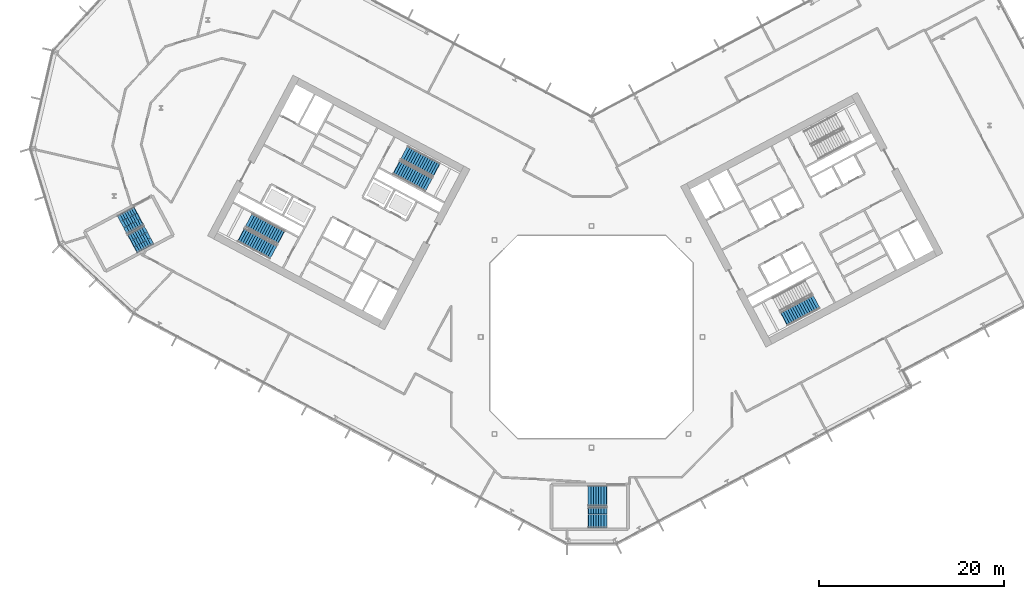
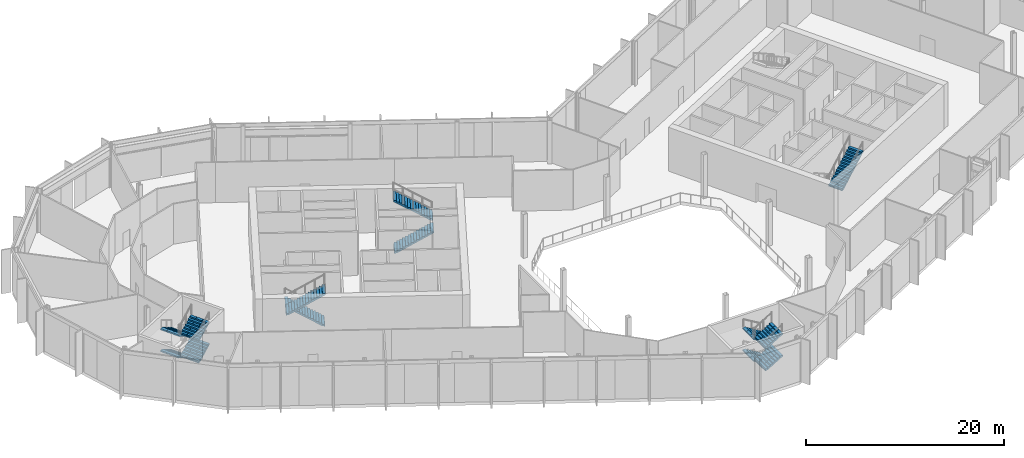
# One storey, part 18 of 31: 13 stair flights, 5 elements without a shape of their own.
"""IFC4 building model written with IfcOpenShell, lengths in metres."""

from ifc_helpers import new_model, si_unit, direction, frame, origin, place, context, subcontext, project, spatial, polyline, outline, extrude, material, type_object, element, aggregate, save


model = new_model("IFC4")

# Units and contexts
model_context = context("Model", 3, precision=1e-05, world=origin(), true_north=direction((0.0, 1.0)))
body_context = subcontext(model_context, "Body", "Model", "MODEL_VIEW")
ifc_project = project(units=[si_unit("LENGTHUNIT", "METRE"), si_unit("AREAUNIT", "SQUARE_METRE"), si_unit("VOLUMEUNIT", "CUBIC_METRE"), si_unit("PLANEANGLEUNIT", "RADIAN"), si_unit("MASSUNIT", "GRAM", prefix="KILO")], contexts=[model_context])

# Site, building, storey
site_placement = place(None, origin())
site = spatial("IfcSite", under=ifc_project, at=site_placement, CompositionType="ELEMENT")
building_placement = place(site_placement, origin())
building = spatial("IfcBuilding", under=site, at=building_placement, Name="Cormorant Relay Tower", CompositionType="ELEMENT")
storey_placement = place(building_placement, frame((0.0, 0.0, 178.199951171875)))
storey = spatial("IfcBuildingStorey", under=building, at=storey_placement, Name="L38", CompositionType="ELEMENT", Elevation=178.199951171875)

# Stair, stair flights
ifc_material_1 = material(Name="Concrete 40 MPa", Category="concrete")
stair_type_1 = type_object("IfcStairType", Name="Exit stair 1500", PredefinedType="HALF_TURN_STAIR", material=ifc_material_1)
stair_1_placement = place(storey_placement, origin())
stair_1 = element("IfcStair", 1, at=stair_1_placement, inside=storey, type_object=stair_type_1, Name="L38 Stair", PredefinedType="HALF_TURN_STAIR")
ifc_material_2 = material(Name="Concrete 40 MPa", Category="concrete")
stair_flight_type_1 = type_object("IfcStairFlightType", Name="Exit stair flight 1650", PredefinedType="STRAIGHT", material=ifc_material_2)
stair_flight_1_placement = place(storey_placement, frame((-21.114501953125, 18.33349609375, 0.0), z_axis=(0.0, 0.0, 1.0), x_axis=(0.882947592859, -0.469471562786, 0.0)))
stair_flight_1 = element("IfcStairFlight", 2, at=stair_flight_1_placement, type_object=stair_flight_type_1, Name="A1 flight 1", NumberOfRisers=15, NumberOfTreads=14, PredefinedType="STRAIGHT", RiserHeight=0.18, TreadLength=0.28, context=body_context, shape_type="SweptSolid", body=[
    extrude(outline(polyline([(-0.050048828125, -0.080078125), (-0.050048828125, 0.0), (0.0, 0.0), (0.0, 0.179931640625), (0.280029296875, 0.179931640625), (0.280029296875, 0.360107421875), (0.56005859375, 0.360107421875), (0.56005859375, 0.5400390625), (0.840087890625, 0.5400390625), (0.840087890625, 0.719970703125), (1.1201171875, 0.719970703125), (1.1201171875, 0.89990234375), (1.39990234375, 0.89990234375), (1.39990234375, 1.080078125), (1.679931640625, 1.080078125), (1.679931640625, 1.260009765625), (1.9599609375, 1.260009765625), (1.9599609375, 1.43994140625), (2.239990234375, 1.43994140625), (2.239990234375, 1.6201171875), (2.52001953125, 1.6201171875), (2.52001953125, 1.800048828125), (2.800048828125, 1.800048828125), (2.800048828125, 1.97998046875), (3.080078125, 1.97998046875), (3.080078125, 2.159912109375), (3.360107421875, 2.159912109375), (3.360107421875, 2.340087890625), (3.639892578125, 2.340087890625), (3.639892578125, 2.52001953125), (3.919921875, 2.52001953125), (3.969970703125, 2.52001953125), (3.969970703125, 2.341796875), (3.919921875, 2.341796875), (0.277099609375, 0.0), (-0.050048828125, -0.080078125)])), frame((0.0, 0.824951171875, 0.0), z_axis=(0.0, -1.0, 0.0), x_axis=(1.0, 0.0, 0.0)), (0.0, 0.0, 1.0), 1.64990234375),
])
stair_flight_2_placement = place(storey_placement, frame((-16.80810546875, 18.08251953125, 2.699951171875), z_axis=(0.0, 0.0, 1.0), x_axis=(-0.882947592859, 0.469471562786, 0.0)))
stair_flight_2 = element("IfcStairFlight", 3, at=stair_flight_2_placement, type_object=stair_flight_type_1, Name="A1 flight 2", NumberOfRisers=15, NumberOfTreads=14, PredefinedType="STRAIGHT", RiserHeight=0.18, TreadLength=0.28, context=body_context, shape_type="SweptSolid", body=[
    extrude(outline(polyline([(-0.050048828125, -0.080078125), (-0.050048828125, 0.0), (0.0, 0.0), (0.0, 0.179931640625), (0.280029296875, 0.179931640625), (0.280029296875, 0.360107421875), (0.56005859375, 0.360107421875), (0.56005859375, 0.5400390625), (0.840087890625, 0.5400390625), (0.840087890625, 0.719970703125), (1.1201171875, 0.719970703125), (1.1201171875, 0.89990234375), (1.39990234375, 0.89990234375), (1.39990234375, 1.080078125), (1.679931640625, 1.080078125), (1.679931640625, 1.260009765625), (1.9599609375, 1.260009765625), (1.9599609375, 1.43994140625), (2.239990234375, 1.43994140625), (2.239990234375, 1.6201171875), (2.52001953125, 1.6201171875), (2.52001953125, 1.800048828125), (2.800048828125, 1.800048828125), (2.800048828125, 1.97998046875), (3.080078125, 1.97998046875), (3.080078125, 2.159912109375), (3.360107421875, 2.159912109375), (3.360107421875, 2.340087890625), (3.639892578125, 2.340087890625), (3.639892578125, 2.52001953125), (3.919921875, 2.52001953125), (3.969970703125, 2.52001953125), (3.969970703125, 2.341796875), (3.919921875, 2.341796875), (0.277099609375, 0.0), (-0.050048828125, -0.080078125)])), frame((0.0, 0.824951171875, 0.0), z_axis=(0.0, -1.0, 0.0), x_axis=(1.0, 0.0, 0.0)), (0.0, 0.0, 1.0), 1.64990234375),
])
aggregate(stair_1, [stair_flight_1, stair_flight_2])

stair_2_placement = place(storey_placement, origin())
stair_2 = element("IfcStair", 4, at=stair_2_placement, inside=storey, type_object=stair_type_1, Name="L38 Stair", PredefinedType="HALF_TURN_STAIR")
stair_flight_3_placement = place(storey_placement, frame((-33.62841796875, 10.773681640625, 0.0), z_axis=(0.0, 0.0, 1.0), x_axis=(-0.882947592859, 0.469471562786, 0.0)))
stair_flight_3 = element("IfcStairFlight", 5, at=stair_flight_3_placement, type_object=stair_flight_type_1, Name="A2 flight 1", NumberOfRisers=15, NumberOfTreads=14, PredefinedType="STRAIGHT", RiserHeight=0.18, TreadLength=0.28, context=body_context, shape_type="SweptSolid", body=[
    extrude(outline(polyline([(-0.050048828125, -0.080078125), (-0.050048828125, 0.0), (0.0, 0.0), (0.0, 0.179931640625), (0.280029296875, 0.179931640625), (0.280029296875, 0.360107421875), (0.56005859375, 0.360107421875), (0.56005859375, 0.5400390625), (0.840087890625, 0.5400390625), (0.840087890625, 0.719970703125), (1.1201171875, 0.719970703125), (1.1201171875, 0.89990234375), (1.39990234375, 0.89990234375), (1.39990234375, 1.080078125), (1.679931640625, 1.080078125), (1.679931640625, 1.260009765625), (1.9599609375, 1.260009765625), (1.9599609375, 1.43994140625), (2.239990234375, 1.43994140625), (2.239990234375, 1.6201171875), (2.52001953125, 1.6201171875), (2.52001953125, 1.800048828125), (2.800048828125, 1.800048828125), (2.800048828125, 1.97998046875), (3.080078125, 1.97998046875), (3.080078125, 2.159912109375), (3.360107421875, 2.159912109375), (3.360107421875, 2.340087890625), (3.639892578125, 2.340087890625), (3.639892578125, 2.52001953125), (3.919921875, 2.52001953125), (3.969970703125, 2.52001953125), (3.969970703125, 2.341796875), (3.919921875, 2.341796875), (0.277099609375, 0.0), (-0.050048828125, -0.080078125)])), frame((0.0, 0.824951171875, 0.0), z_axis=(0.0, -1.0, 0.0), x_axis=(1.0, 0.0, 0.0)), (0.0, 0.0, 1.0), 1.64990234375),
])
stair_flight_4_placement = place(storey_placement, frame((-37.9345703125, 11.024658203125, 2.699951171875), z_axis=(0.0, 0.0, 1.0), x_axis=(0.882947592859, -0.469471562786, 0.0)))
stair_flight_4 = element("IfcStairFlight", 6, at=stair_flight_4_placement, type_object=stair_flight_type_1, Name="A2 flight 2", NumberOfRisers=15, NumberOfTreads=14, PredefinedType="STRAIGHT", RiserHeight=0.18, TreadLength=0.28, context=body_context, shape_type="SweptSolid", body=[
    extrude(outline(polyline([(-0.050048828125, -0.080078125), (-0.050048828125, 0.0), (0.0, 0.0), (0.0, 0.179931640625), (0.280029296875, 0.179931640625), (0.280029296875, 0.360107421875), (0.56005859375, 0.360107421875), (0.56005859375, 0.5400390625), (0.840087890625, 0.5400390625), (0.840087890625, 0.719970703125), (1.1201171875, 0.719970703125), (1.1201171875, 0.89990234375), (1.39990234375, 0.89990234375), (1.39990234375, 1.080078125), (1.679931640625, 1.080078125), (1.679931640625, 1.260009765625), (1.9599609375, 1.260009765625), (1.9599609375, 1.43994140625), (2.239990234375, 1.43994140625), (2.239990234375, 1.6201171875), (2.52001953125, 1.6201171875), (2.52001953125, 1.800048828125), (2.800048828125, 1.800048828125), (2.800048828125, 1.97998046875), (3.080078125, 1.97998046875), (3.080078125, 2.159912109375), (3.360107421875, 2.159912109375), (3.360107421875, 2.340087890625), (3.639892578125, 2.340087890625), (3.639892578125, 2.52001953125), (3.919921875, 2.52001953125), (3.969970703125, 2.52001953125), (3.969970703125, 2.341796875), (3.919921875, 2.341796875), (0.277099609375, 0.0), (-0.050048828125, -0.080078125)])), frame((0.0, 0.824951171875, 0.0), z_axis=(0.0, -1.0, 0.0), x_axis=(1.0, 0.0, 0.0)), (0.0, 0.0, 1.0), 1.64990234375),
])
aggregate(stair_2, [stair_flight_3, stair_flight_4])

# Stair, stair flight
stair_3_placement = place(storey_placement, origin())
stair_3 = element("IfcStair", 7, at=stair_3_placement, inside=storey, type_object=stair_type_1, Name="L38 Stair", PredefinedType="HALF_TURN_STAIR")
stair_flight_5_placement = place(storey_placement, frame((20.8583984375, 1.945068359375, 2.699951171875), z_axis=(0.0, 0.0, 1.0), x_axis=(0.882947592859, 0.469471562786, 0.0)))
stair_flight_5 = element("IfcStairFlight", 8, at=stair_flight_5_placement, type_object=stair_flight_type_1, Name="B1 flight 2", NumberOfRisers=15, NumberOfTreads=14, PredefinedType="STRAIGHT", RiserHeight=0.18, TreadLength=0.28, context=body_context, shape_type="SweptSolid", body=[
    extrude(outline(polyline([(-0.050048828125, -0.080078125), (-0.050048828125, 0.0), (0.0, 0.0), (0.0, 0.179931640625), (0.280029296875, 0.179931640625), (0.280029296875, 0.360107421875), (0.56005859375, 0.360107421875), (0.56005859375, 0.5400390625), (0.840087890625, 0.5400390625), (0.840087890625, 0.719970703125), (1.1201171875, 0.719970703125), (1.1201171875, 0.89990234375), (1.39990234375, 0.89990234375), (1.39990234375, 1.080078125), (1.679931640625, 1.080078125), (1.679931640625, 1.260009765625), (1.9599609375, 1.260009765625), (1.9599609375, 1.43994140625), (2.239990234375, 1.43994140625), (2.239990234375, 1.6201171875), (2.52001953125, 1.6201171875), (2.52001953125, 1.800048828125), (2.800048828125, 1.800048828125), (2.800048828125, 1.97998046875), (3.080078125, 1.97998046875), (3.080078125, 2.159912109375), (3.360107421875, 2.159912109375), (3.360107421875, 2.340087890625), (3.639892578125, 2.340087890625), (3.639892578125, 2.52001953125), (3.919921875, 2.52001953125), (3.969970703125, 2.52001953125), (3.969970703125, 2.341796875), (3.919921875, 2.341796875), (0.277099609375, 0.0), (-0.050048828125, -0.080078125)])), frame((0.0, 0.824951171875, 0.0), z_axis=(0.0, -1.0, 0.0), x_axis=(1.0, 0.0, 0.0)), (0.0, 0.0, 1.0), 1.64990234375),
])
aggregate(stair_3, [stair_flight_5])

# Stair, stair flights
ifc_material_3 = material(Name="Concrete 40 MPa", Category="concrete")
stair_type_2 = type_object("IfcStairType", Name="Remote exit stair 2200", PredefinedType="HALF_TURN_STAIR", material=ifc_material_3)
stair_4_placement = place(storey_placement, origin())
stair_4 = element("IfcStair", 9, at=stair_4_placement, inside=storey, type_object=stair_type_2, Name="L38 Stair", PredefinedType="HALF_TURN_STAIR")
ifc_material_4 = material(Name="Concrete 40 MPa", Category="concrete")
stair_flight_type_2 = type_object("IfcStairFlightType", Name="Remote exit stair flight 2200", PredefinedType="STRAIGHT", material=ifc_material_4)
stair_flight_6_placement = place(storey_placement, frame((1.60009765625, -17.22509765625, 0.0), z_axis=(0.0, 0.0, 1.0), x_axis=(-1.0, 0.0, 0.0)))
stair_flight_6 = element("IfcStairFlight", 10, at=stair_flight_6_placement, type_object=stair_flight_type_2, Name="RK1 flight 1", NumberOfRisers=8, NumberOfTreads=7, PredefinedType="STRAIGHT", RiserHeight=0.16875, TreadLength=0.28, context=body_context, shape_type="SweptSolid", body=[
    extrude(outline(polyline([(-0.050048828125, -0.080078125), (-0.050048828125, 0.0), (0.0, 0.0), (0.0, 0.168701171875), (0.280029296875, 0.168701171875), (0.280029296875, 0.33740234375), (0.56005859375, 0.33740234375), (0.56005859375, 0.50634765625), (0.840087890625, 0.50634765625), (0.840087890625, 0.675048828125), (1.1201171875, 0.675048828125), (1.1201171875, 0.84375), (1.39990234375, 0.84375), (1.39990234375, 1.012451171875), (1.679931640625, 1.012451171875), (1.679931640625, 1.18115234375), (1.9599609375, 1.18115234375), (2.010009765625, 1.18115234375), (2.010009765625, 1.00634765625), (1.9599609375, 1.00634765625), (0.29052734375, 0.0), (-0.050048828125, -0.080078125)])), frame((0.0, 1.10009765625, 0.0), z_axis=(0.0, -1.0, 0.0), x_axis=(1.0, 0.0, 0.0)), (0.0, 0.0, 1.0), 0.719970703125),
    extrude(outline(polyline([(-0.050048828125, -0.080078125), (-0.050048828125, 0.0), (0.0, 0.0), (0.0, 0.168701171875), (0.280029296875, 0.168701171875), (0.280029296875, 0.33740234375), (0.56005859375, 0.33740234375), (0.56005859375, 0.50634765625), (0.840087890625, 0.50634765625), (0.840087890625, 0.675048828125), (1.1201171875, 0.675048828125), (1.1201171875, 0.84375), (1.39990234375, 0.84375), (1.39990234375, 1.012451171875), (1.679931640625, 1.012451171875), (1.679931640625, 1.18115234375), (1.9599609375, 1.18115234375), (2.010009765625, 1.18115234375), (2.010009765625, 1.00634765625), (1.9599609375, 1.00634765625), (0.29052734375, 0.0), (-0.050048828125, -0.080078125)])), frame((0.0, 0.360107421875, 0.0), z_axis=(0.0, -1.0, 0.0), x_axis=(1.0, 0.0, 0.0)), (0.0, 0.0, 1.0), 0.719970703125),
    extrude(outline(polyline([(-0.050048828125, -0.080078125), (-0.050048828125, 0.0), (0.0, 0.0), (0.0, 0.168701171875), (0.280029296875, 0.168701171875), (0.280029296875, 0.33740234375), (0.56005859375, 0.33740234375), (0.56005859375, 0.50634765625), (0.840087890625, 0.50634765625), (0.840087890625, 0.675048828125), (1.1201171875, 0.675048828125), (1.1201171875, 0.84375), (1.39990234375, 0.84375), (1.39990234375, 1.012451171875), (1.679931640625, 1.012451171875), (1.679931640625, 1.18115234375), (1.9599609375, 1.18115234375), (2.010009765625, 1.18115234375), (2.010009765625, 1.00634765625), (1.9599609375, 1.00634765625), (0.29052734375, 0.0), (-0.050048828125, -0.080078125)])), frame((0.0, -0.3798828125, 0.0), z_axis=(0.0, -1.0, 0.0), x_axis=(1.0, 0.0, 0.0)), (0.0, 0.0, 1.0), 0.719970703125),
])
stair_flight_7_placement = place(storey_placement, frame((-0.360107421875, -19.574951171875, 1.35009765625), z_axis=(0.0, 0.0, 1.0), x_axis=(1.0, 0.0, 0.0)))
stair_flight_7 = element("IfcStairFlight", 11, at=stair_flight_7_placement, type_object=stair_flight_type_2, Name="RK1 flight 2", NumberOfRisers=8, NumberOfTreads=7, PredefinedType="STRAIGHT", RiserHeight=0.16875, TreadLength=0.28, context=body_context, shape_type="SweptSolid", body=[
    extrude(outline(polyline([(-0.050048828125, -0.080078125), (-0.050048828125, 0.0), (0.0, 0.0), (0.0, 0.168701171875), (0.280029296875, 0.168701171875), (0.280029296875, 0.33740234375), (0.56005859375, 0.33740234375), (0.56005859375, 0.50634765625), (0.840087890625, 0.50634765625), (0.840087890625, 0.675048828125), (1.1201171875, 0.675048828125), (1.1201171875, 0.84375), (1.39990234375, 0.84375), (1.39990234375, 1.012451171875), (1.679931640625, 1.012451171875), (1.679931640625, 1.18115234375), (1.9599609375, 1.18115234375), (2.010009765625, 1.18115234375), (2.010009765625, 1.00634765625), (1.9599609375, 1.00634765625), (0.29052734375, 0.0), (-0.050048828125, -0.080078125)])), frame((0.0, 1.10009765625, 0.0), z_axis=(0.0, -1.0, 0.0), x_axis=(1.0, 0.0, 0.0)), (0.0, 0.0, 1.0), 0.719970703125),
    extrude(outline(polyline([(-0.050048828125, -0.080078125), (-0.050048828125, 0.0), (0.0, 0.0), (0.0, 0.168701171875), (0.280029296875, 0.168701171875), (0.280029296875, 0.33740234375), (0.56005859375, 0.33740234375), (0.56005859375, 0.50634765625), (0.840087890625, 0.50634765625), (0.840087890625, 0.675048828125), (1.1201171875, 0.675048828125), (1.1201171875, 0.84375), (1.39990234375, 0.84375), (1.39990234375, 1.012451171875), (1.679931640625, 1.012451171875), (1.679931640625, 1.18115234375), (1.9599609375, 1.18115234375), (2.010009765625, 1.18115234375), (2.010009765625, 1.00634765625), (1.9599609375, 1.00634765625), (0.29052734375, 0.0), (-0.050048828125, -0.080078125)])), frame((0.0, 0.360107421875, 0.0), z_axis=(0.0, -1.0, 0.0), x_axis=(1.0, 0.0, 0.0)), (0.0, 0.0, 1.0), 0.719970703125),
    extrude(outline(polyline([(-0.050048828125, -0.080078125), (-0.050048828125, 0.0), (0.0, 0.0), (0.0, 0.168701171875), (0.280029296875, 0.168701171875), (0.280029296875, 0.33740234375), (0.56005859375, 0.33740234375), (0.56005859375, 0.50634765625), (0.840087890625, 0.50634765625), (0.840087890625, 0.675048828125), (1.1201171875, 0.675048828125), (1.1201171875, 0.84375), (1.39990234375, 0.84375), (1.39990234375, 1.012451171875), (1.679931640625, 1.012451171875), (1.679931640625, 1.18115234375), (1.9599609375, 1.18115234375), (2.010009765625, 1.18115234375), (2.010009765625, 1.00634765625), (1.9599609375, 1.00634765625), (0.29052734375, 0.0), (-0.050048828125, -0.080078125)])), frame((0.0, -0.3798828125, 0.0), z_axis=(0.0, -1.0, 0.0), x_axis=(1.0, 0.0, 0.0)), (0.0, 0.0, 1.0), 0.719970703125),
])
stair_flight_8_placement = place(storey_placement, frame((1.60009765625, -17.22509765625, 2.699951171875), z_axis=(0.0, 0.0, 1.0), x_axis=(-1.0, 0.0, 0.0)))
stair_flight_8 = element("IfcStairFlight", 12, at=stair_flight_8_placement, type_object=stair_flight_type_2, Name="RK1 flight 3", NumberOfRisers=8, NumberOfTreads=7, PredefinedType="STRAIGHT", RiserHeight=0.16875, TreadLength=0.28, context=body_context, shape_type="SweptSolid", body=[
    extrude(outline(polyline([(-0.050048828125, -0.080078125), (-0.050048828125, 0.0), (0.0, 0.0), (0.0, 0.168701171875), (0.280029296875, 0.168701171875), (0.280029296875, 0.33740234375), (0.56005859375, 0.33740234375), (0.56005859375, 0.50634765625), (0.840087890625, 0.50634765625), (0.840087890625, 0.675048828125), (1.1201171875, 0.675048828125), (1.1201171875, 0.84375), (1.39990234375, 0.84375), (1.39990234375, 1.012451171875), (1.679931640625, 1.012451171875), (1.679931640625, 1.18115234375), (1.9599609375, 1.18115234375), (2.010009765625, 1.18115234375), (2.010009765625, 1.00634765625), (1.9599609375, 1.00634765625), (0.29052734375, 0.0), (-0.050048828125, -0.080078125)])), frame((0.0, 1.10009765625, 0.0), z_axis=(0.0, -1.0, 0.0), x_axis=(1.0, 0.0, 0.0)), (0.0, 0.0, 1.0), 0.719970703125),
    extrude(outline(polyline([(-0.050048828125, -0.080078125), (-0.050048828125, 0.0), (0.0, 0.0), (0.0, 0.168701171875), (0.280029296875, 0.168701171875), (0.280029296875, 0.33740234375), (0.56005859375, 0.33740234375), (0.56005859375, 0.50634765625), (0.840087890625, 0.50634765625), (0.840087890625, 0.675048828125), (1.1201171875, 0.675048828125), (1.1201171875, 0.84375), (1.39990234375, 0.84375), (1.39990234375, 1.012451171875), (1.679931640625, 1.012451171875), (1.679931640625, 1.18115234375), (1.9599609375, 1.18115234375), (2.010009765625, 1.18115234375), (2.010009765625, 1.00634765625), (1.9599609375, 1.00634765625), (0.29052734375, 0.0), (-0.050048828125, -0.080078125)])), frame((0.0, 0.360107421875, 0.0), z_axis=(0.0, -1.0, 0.0), x_axis=(1.0, 0.0, 0.0)), (0.0, 0.0, 1.0), 0.719970703125),
    extrude(outline(polyline([(-0.050048828125, -0.080078125), (-0.050048828125, 0.0), (0.0, 0.0), (0.0, 0.168701171875), (0.280029296875, 0.168701171875), (0.280029296875, 0.33740234375), (0.56005859375, 0.33740234375), (0.56005859375, 0.50634765625), (0.840087890625, 0.50634765625), (0.840087890625, 0.675048828125), (1.1201171875, 0.675048828125), (1.1201171875, 0.84375), (1.39990234375, 0.84375), (1.39990234375, 1.012451171875), (1.679931640625, 1.012451171875), (1.679931640625, 1.18115234375), (1.9599609375, 1.18115234375), (2.010009765625, 1.18115234375), (2.010009765625, 1.00634765625), (1.9599609375, 1.00634765625), (0.29052734375, 0.0), (-0.050048828125, -0.080078125)])), frame((0.0, -0.3798828125, 0.0), z_axis=(0.0, -1.0, 0.0), x_axis=(1.0, 0.0, 0.0)), (0.0, 0.0, 1.0), 0.719970703125),
])
stair_flight_9_placement = place(storey_placement, frame((-0.360107421875, -19.574951171875, 4.050048828125), z_axis=(0.0, 0.0, 1.0), x_axis=(1.0, 0.0, 0.0)))
stair_flight_9 = element("IfcStairFlight", 13, at=stair_flight_9_placement, type_object=stair_flight_type_2, Name="RK1 flight 4", NumberOfRisers=8, NumberOfTreads=7, PredefinedType="STRAIGHT", RiserHeight=0.16875, TreadLength=0.28, context=body_context, shape_type="SweptSolid", body=[
    extrude(outline(polyline([(-0.050048828125, -0.080078125), (-0.050048828125, 0.0), (0.0, 0.0), (0.0, 0.168701171875), (0.280029296875, 0.168701171875), (0.280029296875, 0.33740234375), (0.56005859375, 0.33740234375), (0.56005859375, 0.50634765625), (0.840087890625, 0.50634765625), (0.840087890625, 0.675048828125), (1.1201171875, 0.675048828125), (1.1201171875, 0.84375), (1.39990234375, 0.84375), (1.39990234375, 1.012451171875), (1.679931640625, 1.012451171875), (1.679931640625, 1.18115234375), (1.9599609375, 1.18115234375), (2.010009765625, 1.18115234375), (2.010009765625, 1.00634765625), (1.9599609375, 1.00634765625), (0.29052734375, 0.0), (-0.050048828125, -0.080078125)])), frame((0.0, 1.10009765625, 0.0), z_axis=(0.0, -1.0, 0.0), x_axis=(1.0, 0.0, 0.0)), (0.0, 0.0, 1.0), 0.719970703125),
    extrude(outline(polyline([(-0.050048828125, -0.080078125), (-0.050048828125, 0.0), (0.0, 0.0), (0.0, 0.168701171875), (0.280029296875, 0.168701171875), (0.280029296875, 0.33740234375), (0.56005859375, 0.33740234375), (0.56005859375, 0.50634765625), (0.840087890625, 0.50634765625), (0.840087890625, 0.675048828125), (1.1201171875, 0.675048828125), (1.1201171875, 0.84375), (1.39990234375, 0.84375), (1.39990234375, 1.012451171875), (1.679931640625, 1.012451171875), (1.679931640625, 1.18115234375), (1.9599609375, 1.18115234375), (2.010009765625, 1.18115234375), (2.010009765625, 1.00634765625), (1.9599609375, 1.00634765625), (0.29052734375, 0.0), (-0.050048828125, -0.080078125)])), frame((0.0, 0.360107421875, 0.0), z_axis=(0.0, -1.0, 0.0), x_axis=(1.0, 0.0, 0.0)), (0.0, 0.0, 1.0), 0.719970703125),
    extrude(outline(polyline([(-0.050048828125, -0.080078125), (-0.050048828125, 0.0), (0.0, 0.0), (0.0, 0.168701171875), (0.280029296875, 0.168701171875), (0.280029296875, 0.33740234375), (0.56005859375, 0.33740234375), (0.56005859375, 0.50634765625), (0.840087890625, 0.50634765625), (0.840087890625, 0.675048828125), (1.1201171875, 0.675048828125), (1.1201171875, 0.84375), (1.39990234375, 0.84375), (1.39990234375, 1.012451171875), (1.679931640625, 1.012451171875), (1.679931640625, 1.18115234375), (1.9599609375, 1.18115234375), (2.010009765625, 1.18115234375), (2.010009765625, 1.00634765625), (1.9599609375, 1.00634765625), (0.29052734375, 0.0), (-0.050048828125, -0.080078125)])), frame((0.0, -0.3798828125, 0.0), z_axis=(0.0, -1.0, 0.0), x_axis=(1.0, 0.0, 0.0)), (0.0, 0.0, 1.0), 0.719970703125),
])
aggregate(stair_4, [stair_flight_6, stair_flight_7, stair_flight_8, stair_flight_9])

stair_5_placement = place(storey_placement, origin())
stair_5 = element("IfcStair", 14, at=stair_5_placement, inside=storey, type_object=stair_type_2, Name="L38 Stair", PredefinedType="HALF_TURN_STAIR")
stair_flight_10_placement = place(storey_placement, frame((-49.062255859375, 13.08251953125, 0.0), z_axis=(0.0, 0.0, 1.0), x_axis=(-0.882947502727, -0.4694717323, 0.0)))
stair_flight_10 = element("IfcStairFlight", 15, at=stair_flight_10_placement, type_object=stair_flight_type_2, Name="RP1 flight 1", NumberOfRisers=8, NumberOfTreads=7, PredefinedType="STRAIGHT", RiserHeight=0.16875, TreadLength=0.28, context=body_context, shape_type="SweptSolid", body=[
    extrude(outline(polyline([(-0.050048828125, -0.080078125), (-0.050048828125, 0.0), (0.0, 0.0), (0.0, 0.168701171875), (0.280029296875, 0.168701171875), (0.280029296875, 0.33740234375), (0.56005859375, 0.33740234375), (0.56005859375, 0.50634765625), (0.840087890625, 0.50634765625), (0.840087890625, 0.675048828125), (1.1201171875, 0.675048828125), (1.1201171875, 0.84375), (1.39990234375, 0.84375), (1.39990234375, 1.012451171875), (1.679931640625, 1.012451171875), (1.679931640625, 1.18115234375), (1.9599609375, 1.18115234375), (2.010009765625, 1.18115234375), (2.010009765625, 1.00634765625), (1.9599609375, 1.00634765625), (0.29052734375, 0.0), (-0.050048828125, -0.080078125)])), frame((0.0, 1.10009765625, 0.0), z_axis=(0.0, -1.0, 0.0), x_axis=(1.0, 0.0, 0.0)), (0.0, 0.0, 1.0), 0.719970703125),
    extrude(outline(polyline([(-0.050048828125, -0.080078125), (-0.050048828125, 0.0), (0.0, 0.0), (0.0, 0.168701171875), (0.280029296875, 0.168701171875), (0.280029296875, 0.33740234375), (0.56005859375, 0.33740234375), (0.56005859375, 0.50634765625), (0.840087890625, 0.50634765625), (0.840087890625, 0.675048828125), (1.1201171875, 0.675048828125), (1.1201171875, 0.84375), (1.39990234375, 0.84375), (1.39990234375, 1.012451171875), (1.679931640625, 1.012451171875), (1.679931640625, 1.18115234375), (1.9599609375, 1.18115234375), (2.010009765625, 1.18115234375), (2.010009765625, 1.00634765625), (1.9599609375, 1.00634765625), (0.29052734375, 0.0), (-0.050048828125, -0.080078125)])), frame((0.0, 0.360107421875, 0.0), z_axis=(0.0, -1.0, 0.0), x_axis=(1.0, 0.0, 0.0)), (0.0, 0.0, 1.0), 0.719970703125),
    extrude(outline(polyline([(-0.050048828125, -0.080078125), (-0.050048828125, 0.0), (0.0, 0.0), (0.0, 0.168701171875), (0.280029296875, 0.168701171875), (0.280029296875, 0.33740234375), (0.56005859375, 0.33740234375), (0.56005859375, 0.50634765625), (0.840087890625, 0.50634765625), (0.840087890625, 0.675048828125), (1.1201171875, 0.675048828125), (1.1201171875, 0.84375), (1.39990234375, 0.84375), (1.39990234375, 1.012451171875), (1.679931640625, 1.012451171875), (1.679931640625, 1.18115234375), (1.9599609375, 1.18115234375), (2.010009765625, 1.18115234375), (2.010009765625, 1.00634765625), (1.9599609375, 1.00634765625), (0.29052734375, 0.0), (-0.050048828125, -0.080078125)])), frame((0.0, -0.3798828125, 0.0), z_axis=(0.0, -1.0, 0.0), x_axis=(1.0, 0.0, 0.0)), (0.0, 0.0, 1.0), 0.719970703125),
])
stair_flight_11_placement = place(storey_placement, frame((-49.689697265625, 10.08740234375, 1.35009765625), z_axis=(0.0, 0.0, 1.0), x_axis=(0.882947502727, 0.4694717323, 0.0)))
stair_flight_11 = element("IfcStairFlight", 16, at=stair_flight_11_placement, type_object=stair_flight_type_2, Name="RP1 flight 2", NumberOfRisers=8, NumberOfTreads=7, PredefinedType="STRAIGHT", RiserHeight=0.16875, TreadLength=0.28, context=body_context, shape_type="SweptSolid", body=[
    extrude(outline(polyline([(-0.050048828125, -0.080078125), (-0.050048828125, 0.0), (0.0, 0.0), (0.0, 0.168701171875), (0.280029296875, 0.168701171875), (0.280029296875, 0.33740234375), (0.56005859375, 0.33740234375), (0.56005859375, 0.50634765625), (0.840087890625, 0.50634765625), (0.840087890625, 0.675048828125), (1.1201171875, 0.675048828125), (1.1201171875, 0.84375), (1.39990234375, 0.84375), (1.39990234375, 1.012451171875), (1.679931640625, 1.012451171875), (1.679931640625, 1.18115234375), (1.9599609375, 1.18115234375), (2.010009765625, 1.18115234375), (2.010009765625, 1.00634765625), (1.9599609375, 1.00634765625), (0.29052734375, 0.0), (-0.050048828125, -0.080078125)])), frame((0.0, 1.10009765625, 0.0), z_axis=(0.0, -1.0, 0.0), x_axis=(1.0, 0.0, 0.0)), (0.0, 0.0, 1.0), 0.719970703125),
    extrude(outline(polyline([(-0.050048828125, -0.080078125), (-0.050048828125, 0.0), (0.0, 0.0), (0.0, 0.168701171875), (0.280029296875, 0.168701171875), (0.280029296875, 0.33740234375), (0.56005859375, 0.33740234375), (0.56005859375, 0.50634765625), (0.840087890625, 0.50634765625), (0.840087890625, 0.675048828125), (1.1201171875, 0.675048828125), (1.1201171875, 0.84375), (1.39990234375, 0.84375), (1.39990234375, 1.012451171875), (1.679931640625, 1.012451171875), (1.679931640625, 1.18115234375), (1.9599609375, 1.18115234375), (2.010009765625, 1.18115234375), (2.010009765625, 1.00634765625), (1.9599609375, 1.00634765625), (0.29052734375, 0.0), (-0.050048828125, -0.080078125)])), frame((0.0, 0.360107421875, 0.0), z_axis=(0.0, -1.0, 0.0), x_axis=(1.0, 0.0, 0.0)), (0.0, 0.0, 1.0), 0.719970703125),
    extrude(outline(polyline([(-0.050048828125, -0.080078125), (-0.050048828125, 0.0), (0.0, 0.0), (0.0, 0.168701171875), (0.280029296875, 0.168701171875), (0.280029296875, 0.33740234375), (0.56005859375, 0.33740234375), (0.56005859375, 0.50634765625), (0.840087890625, 0.50634765625), (0.840087890625, 0.675048828125), (1.1201171875, 0.675048828125), (1.1201171875, 0.84375), (1.39990234375, 0.84375), (1.39990234375, 1.012451171875), (1.679931640625, 1.012451171875), (1.679931640625, 1.18115234375), (1.9599609375, 1.18115234375), (2.010009765625, 1.18115234375), (2.010009765625, 1.00634765625), (1.9599609375, 1.00634765625), (0.29052734375, 0.0), (-0.050048828125, -0.080078125)])), frame((0.0, -0.3798828125, 0.0), z_axis=(0.0, -1.0, 0.0), x_axis=(1.0, 0.0, 0.0)), (0.0, 0.0, 1.0), 0.719970703125),
])
stair_flight_12_placement = place(storey_placement, frame((-49.062255859375, 13.08251953125, 2.699951171875), z_axis=(0.0, 0.0, 1.0), x_axis=(-0.882947502727, -0.4694717323, 0.0)))
stair_flight_12 = element("IfcStairFlight", 17, at=stair_flight_12_placement, type_object=stair_flight_type_2, Name="RP1 flight 3", NumberOfRisers=8, NumberOfTreads=7, PredefinedType="STRAIGHT", RiserHeight=0.16875, TreadLength=0.28, context=body_context, shape_type="SweptSolid", body=[
    extrude(outline(polyline([(-0.050048828125, -0.080078125), (-0.050048828125, 0.0), (0.0, 0.0), (0.0, 0.168701171875), (0.280029296875, 0.168701171875), (0.280029296875, 0.33740234375), (0.56005859375, 0.33740234375), (0.56005859375, 0.50634765625), (0.840087890625, 0.50634765625), (0.840087890625, 0.675048828125), (1.1201171875, 0.675048828125), (1.1201171875, 0.84375), (1.39990234375, 0.84375), (1.39990234375, 1.012451171875), (1.679931640625, 1.012451171875), (1.679931640625, 1.18115234375), (1.9599609375, 1.18115234375), (2.010009765625, 1.18115234375), (2.010009765625, 1.00634765625), (1.9599609375, 1.00634765625), (0.29052734375, 0.0), (-0.050048828125, -0.080078125)])), frame((0.0, 1.10009765625, 0.0), z_axis=(0.0, -1.0, 0.0), x_axis=(1.0, 0.0, 0.0)), (0.0, 0.0, 1.0), 0.719970703125),
    extrude(outline(polyline([(-0.050048828125, -0.080078125), (-0.050048828125, 0.0), (0.0, 0.0), (0.0, 0.168701171875), (0.280029296875, 0.168701171875), (0.280029296875, 0.33740234375), (0.56005859375, 0.33740234375), (0.56005859375, 0.50634765625), (0.840087890625, 0.50634765625), (0.840087890625, 0.675048828125), (1.1201171875, 0.675048828125), (1.1201171875, 0.84375), (1.39990234375, 0.84375), (1.39990234375, 1.012451171875), (1.679931640625, 1.012451171875), (1.679931640625, 1.18115234375), (1.9599609375, 1.18115234375), (2.010009765625, 1.18115234375), (2.010009765625, 1.00634765625), (1.9599609375, 1.00634765625), (0.29052734375, 0.0), (-0.050048828125, -0.080078125)])), frame((0.0, 0.360107421875, 0.0), z_axis=(0.0, -1.0, 0.0), x_axis=(1.0, 0.0, 0.0)), (0.0, 0.0, 1.0), 0.719970703125),
    extrude(outline(polyline([(-0.050048828125, -0.080078125), (-0.050048828125, 0.0), (0.0, 0.0), (0.0, 0.168701171875), (0.280029296875, 0.168701171875), (0.280029296875, 0.33740234375), (0.56005859375, 0.33740234375), (0.56005859375, 0.50634765625), (0.840087890625, 0.50634765625), (0.840087890625, 0.675048828125), (1.1201171875, 0.675048828125), (1.1201171875, 0.84375), (1.39990234375, 0.84375), (1.39990234375, 1.012451171875), (1.679931640625, 1.012451171875), (1.679931640625, 1.18115234375), (1.9599609375, 1.18115234375), (2.010009765625, 1.18115234375), (2.010009765625, 1.00634765625), (1.9599609375, 1.00634765625), (0.29052734375, 0.0), (-0.050048828125, -0.080078125)])), frame((0.0, -0.3798828125, 0.0), z_axis=(0.0, -1.0, 0.0), x_axis=(1.0, 0.0, 0.0)), (0.0, 0.0, 1.0), 0.719970703125),
])
stair_flight_13_placement = place(storey_placement, frame((-49.689697265625, 10.08740234375, 4.050048828125), z_axis=(0.0, 0.0, 1.0), x_axis=(0.882947502727, 0.4694717323, 0.0)))
stair_flight_13 = element("IfcStairFlight", 18, at=stair_flight_13_placement, type_object=stair_flight_type_2, Name="RP1 flight 4", NumberOfRisers=8, NumberOfTreads=7, PredefinedType="STRAIGHT", RiserHeight=0.16875, TreadLength=0.28, context=body_context, shape_type="SweptSolid", body=[
    extrude(outline(polyline([(-0.050048828125, -0.080078125), (-0.050048828125, 0.0), (0.0, 0.0), (0.0, 0.168701171875), (0.280029296875, 0.168701171875), (0.280029296875, 0.33740234375), (0.56005859375, 0.33740234375), (0.56005859375, 0.50634765625), (0.840087890625, 0.50634765625), (0.840087890625, 0.675048828125), (1.1201171875, 0.675048828125), (1.1201171875, 0.84375), (1.39990234375, 0.84375), (1.39990234375, 1.012451171875), (1.679931640625, 1.012451171875), (1.679931640625, 1.18115234375), (1.9599609375, 1.18115234375), (2.010009765625, 1.18115234375), (2.010009765625, 1.00634765625), (1.9599609375, 1.00634765625), (0.29052734375, 0.0), (-0.050048828125, -0.080078125)])), frame((0.0, 1.10009765625, 0.0), z_axis=(0.0, -1.0, 0.0), x_axis=(1.0, 0.0, 0.0)), (0.0, 0.0, 1.0), 0.719970703125),
    extrude(outline(polyline([(-0.050048828125, -0.080078125), (-0.050048828125, 0.0), (0.0, 0.0), (0.0, 0.168701171875), (0.280029296875, 0.168701171875), (0.280029296875, 0.33740234375), (0.56005859375, 0.33740234375), (0.56005859375, 0.50634765625), (0.840087890625, 0.50634765625), (0.840087890625, 0.675048828125), (1.1201171875, 0.675048828125), (1.1201171875, 0.84375), (1.39990234375, 0.84375), (1.39990234375, 1.012451171875), (1.679931640625, 1.012451171875), (1.679931640625, 1.18115234375), (1.9599609375, 1.18115234375), (2.010009765625, 1.18115234375), (2.010009765625, 1.00634765625), (1.9599609375, 1.00634765625), (0.29052734375, 0.0), (-0.050048828125, -0.080078125)])), frame((0.0, 0.360107421875, 0.0), z_axis=(0.0, -1.0, 0.0), x_axis=(1.0, 0.0, 0.0)), (0.0, 0.0, 1.0), 0.719970703125),
    extrude(outline(polyline([(-0.050048828125, -0.080078125), (-0.050048828125, 0.0), (0.0, 0.0), (0.0, 0.168701171875), (0.280029296875, 0.168701171875), (0.280029296875, 0.33740234375), (0.56005859375, 0.33740234375), (0.56005859375, 0.50634765625), (0.840087890625, 0.50634765625), (0.840087890625, 0.675048828125), (1.1201171875, 0.675048828125), (1.1201171875, 0.84375), (1.39990234375, 0.84375), (1.39990234375, 1.012451171875), (1.679931640625, 1.012451171875), (1.679931640625, 1.18115234375), (1.9599609375, 1.18115234375), (2.010009765625, 1.18115234375), (2.010009765625, 1.00634765625), (1.9599609375, 1.00634765625), (0.29052734375, 0.0), (-0.050048828125, -0.080078125)])), frame((0.0, -0.3798828125, 0.0), z_axis=(0.0, -1.0, 0.0), x_axis=(1.0, 0.0, 0.0)), (0.0, 0.0, 1.0), 0.719970703125),
])
aggregate(stair_5, [stair_flight_10, stair_flight_11, stair_flight_12, stair_flight_13])

save(model, "model.ifc")
